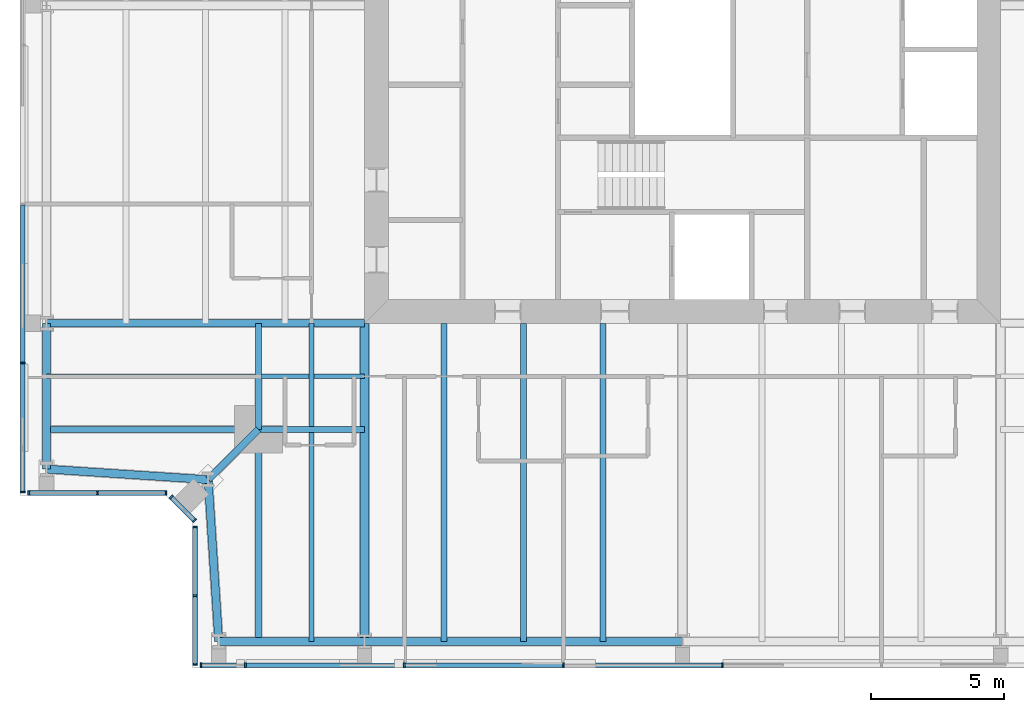
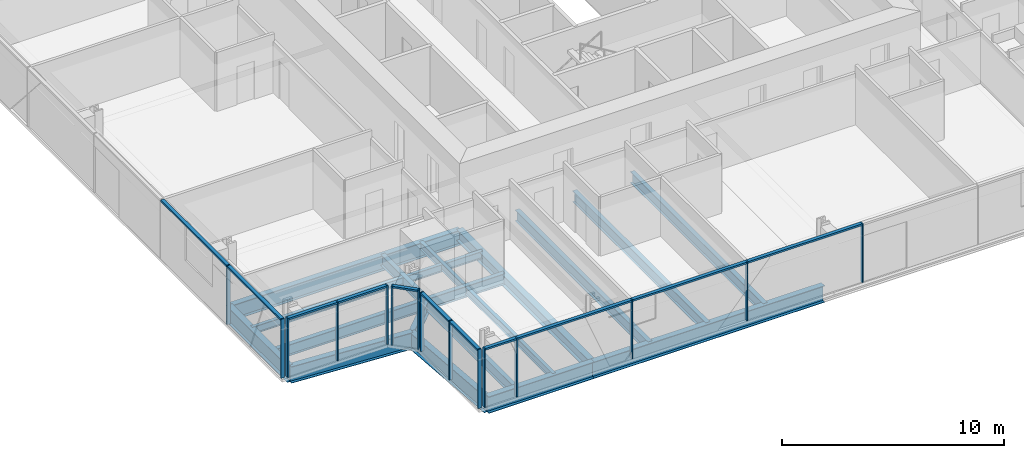
# One storey, part 2 of 19: 26 members, 20 beams, 5 elements without a shape of their own.
"""IFC4 building model written with IfcOpenShell, lengths in metres."""

from ifc_helpers import new_model, si_unit, direction, frame, origin, origin_2d, place, context, subcontext, project, spatial, rectangle, i_section, extrude, material, material_profile, profile_set, type_object, element, aggregate, save


model = new_model("IFC4")

# Units and contexts
model_context = context("Model", 3, precision=1e-05, world=origin(), true_north=direction((0.0, 1.0)))
body_context = subcontext(model_context, "Body", "Model", "MODEL_VIEW")
ifc_project = project(units=[si_unit("LENGTHUNIT", "METRE"), si_unit("AREAUNIT", "SQUARE_METRE"), si_unit("VOLUMEUNIT", "CUBIC_METRE"), si_unit("PLANEANGLEUNIT", "RADIAN"), si_unit("MASSUNIT", "GRAM", prefix="KILO")], contexts=[model_context])

# Site, building, storey
site_placement = place(None, origin())
site = spatial("IfcSite", under=ifc_project, at=site_placement, CompositionType="ELEMENT")
building_placement = place(site_placement, origin())
building = spatial("IfcBuilding", under=site, at=building_placement, Name="Fenwick Lantern Interchange", CompositionType="ELEMENT")
storey_placement = place(building_placement, frame((0.0, 0.0, 273.0)))
storey = spatial("IfcBuildingStorey", under=building, at=storey_placement, Name="L65", CompositionType="ELEMENT", Elevation=273.0)

# Beams
ifc_material_1 = material(Name="Steel ASTM A992 Grade 50", Category="steel")
ifc_material_profile_1 = material_profile(ifc_material_1, i_section(OverallWidth=0.3046875, OverallDepth=0.911865234375, WebThickness=0.015869140625, FlangeThickness=0.02392578125, at=origin_2d()), Name="W36X150")
ifc_profile_set_1 = profile_set([ifc_material_profile_1], Name="Steel ASTM A992 Grade 50")
beam_type_1 = type_object("IfcBeamType", Name="EDGE BEAM W36X150", PredefinedType="SPANDREL", material=ifc_profile_set_1)
beam_1_placement = place(storey_placement, frame((7.5, 1.0, -0.60595703125), z_axis=(1.0, 0.0, 0.0), x_axis=(0.0, 1.0, 0.0)))
element("IfcBeam", 1, at=beam_1_placement, inside=storey, type_object=beam_type_1, Name="L65/FR/S/EB1", PredefinedType="SPANDREL", context=body_context, shape_type="SweptSolid", body=[
    extrude(i_section(OverallWidth=0.3046875, OverallDepth=0.911865234375, WebThickness=0.015869140625, FlangeThickness=0.02392578125, at=origin_2d()), origin(), (0.0, 0.0, 1.0), 5.5),
])
beam_2_placement = place(storey_placement, frame((13.0, 1.0, -0.60595703125), z_axis=(1.0, 0.0, 0.0), x_axis=(0.0, 1.0, 0.0)))
element("IfcBeam", 2, at=beam_2_placement, inside=storey, type_object=beam_type_1, Name="L65/FR/S/EB2", PredefinedType="SPANDREL", context=body_context, shape_type="SweptSolid", body=[
    extrude(i_section(OverallWidth=0.3046875, OverallDepth=0.911865234375, WebThickness=0.015869140625, FlangeThickness=0.02392578125, at=origin_2d()), origin(), (0.0, 0.0, 1.0), 12.0),
])
beam_3_placement = place(storey_placement, frame((1.0, 13.0, -0.60595703125), z_axis=(0.0, -1.0, 0.0), x_axis=(1.0, 0.0, 0.0)))
element("IfcBeam", 3, at=beam_3_placement, inside=storey, type_object=beam_type_1, Name="L65/FR/W/EB4", PredefinedType="SPANDREL", context=body_context, shape_type="SweptSolid", body=[
    extrude(i_section(OverallWidth=0.3046875, OverallDepth=0.911865234375, WebThickness=0.015869140625, FlangeThickness=0.02392578125, at=origin_2d()), origin(), (0.0, 0.0, 1.0), 5.5),
])
for number, where, z_axis, x_axis, name in (
    (4, (1.0, 7.5, -0.60595703125), (0.997858060337, -0.065416293237, 0.0), (0.065416293237, 0.997858060337, 0.0), "L65/FR/W/EBR1"),
    (5, (7.10009765625, 7.10009765625, -0.60595703125), (0.065416293237, -0.997858060337, 0.0), (0.997858060337, 0.065416293237, 0.0), "L65/FR/W/EBR2"),
):
    element("IfcBeam", number, at=place(storey_placement, frame(where, z_axis=z_axis, x_axis=x_axis)), inside=storey, type_object=beam_type_1, Name=name, PredefinedType="SPANDREL", context=body_context, shape_type="SweptSolid", body=[
        extrude(i_section(OverallWidth=0.3046875, OverallDepth=0.911865234375, WebThickness=0.015869140625, FlangeThickness=0.02392578125, at=origin_2d()), origin(), (0.0, 0.0, 1.0), 6.11328125),
    ])
ifc_material_profile_2 = material_profile(ifc_material_1, i_section(OverallWidth=0.22900390625, OverallDepth=0.612060546875, WebThickness=0.011962890625, FlangeThickness=0.01953125, at=origin_2d()), Name="W24X84")
ifc_profile_set_2 = profile_set([ifc_material_profile_2], Name="Steel ASTM A992 Grade 50")
beam_type_2 = type_object("IfcBeamType", Name="FLOOR BEAM W24X84", PredefinedType="BEAM", material=ifc_profile_set_2)
for number, where, z_axis, x_axis, name in (
    (6, (16.0, 1.0, -0.4560546875), (0.0, 1.0, 0.0), (-1.0, 0.0, 0.0), "L65/FR/S/R02"),
    (7, (19.0, 1.0, -0.4560546875), (0.0, 1.0, 0.0), (-1.0, 0.0, 0.0), "L65/FR/S/R03"),
    (8, (22.0, 1.0, -0.4560546875), (0.0, 1.0, 0.0), (-1.0, 0.0, 0.0), "L65/FR/S/R04"),
):
    element("IfcBeam", number, at=place(storey_placement, frame(where, z_axis=z_axis, x_axis=x_axis)), inside=storey, type_object=beam_type_2, Name=name, PredefinedType="BEAM", context=body_context, shape_type="SweptSolid", body=[
        extrude(i_section(OverallWidth=0.22900390625, OverallDepth=0.612060546875, WebThickness=0.011962890625, FlangeThickness=0.01953125, at=origin_2d()), origin(), (0.0, 0.0, 1.0), 12.0),
    ])

# Curtain wall, members
ifc_material_2 = material(Name="Aluminium curtain wall frame", Category="aluminium")
curtain_wall_type = type_object("IfcCurtainWallType", Name="HOTEL CURTAIN WALL", PredefinedType="USERDEFINED", material=ifc_material_2)
curtain_wall_1_placement = place(storey_placement, origin())
curtain_wall_1 = element("IfcCurtainWall", 9, at=curtain_wall_1_placement, inside=storey, type_object=curtain_wall_type, Name="Hotel curtain wall 01", ObjectType="HOTEL CURTAIN WALL", PredefinedType="USERDEFINED")
ifc_material_3 = material(Name="Aluminium extrusion", Category="aluminium")
ifc_material_profile_3 = material_profile(ifc_material_3, rectangle(XDim=0.179931640625, YDim=0.06005859375, at=origin_2d()), Name="HOTEL CURTAIN WALL MULLION 60 X 180")
ifc_profile_set_3 = profile_set([ifc_material_profile_3], Name="Aluminium extrusion")
member_type_1 = type_object("IfcMemberType", Name="HOTEL CURTAIN WALL MULLION 60 X 180", PredefinedType="MULLION", material=ifc_profile_set_3)
member_1_placement = place(storey_placement, frame((6.830078125, 0.10009765625, 0.0), z_axis=(0.0, 0.0, 1.0), x_axis=(0.0, 1.0, 0.0)))
member_1 = element("IfcMember", 10, at=member_1_placement, type_object=member_type_1, Name="L65/CW/01/M00", PredefinedType="MULLION", context=body_context, shape_type="SweptSolid", body=[
    extrude(rectangle(XDim=0.179931640625, YDim=0.06005859375, at=origin_2d()), origin(), (0.0, 0.0, 1.0), 3.25),
])
member_2_placement = place(storey_placement, frame((8.5, 0.10009765625, 0.0), z_axis=(0.0, 0.0, 1.0), x_axis=(0.0, 1.0, 0.0)))
member_2 = element("IfcMember", 11, at=member_2_placement, type_object=member_type_1, Name="L65/CW/01/M01", PredefinedType="MULLION", context=body_context, shape_type="SweptSolid", body=[
    extrude(rectangle(XDim=0.179931640625, YDim=0.06005859375, at=origin_2d()), origin(), (0.0, 0.0, 1.0), 3.25),
])
member_3_placement = place(storey_placement, frame((14.5, 0.10009765625, 0.0), z_axis=(0.0, 0.0, 1.0), x_axis=(0.0, 1.0, 0.0)))
member_3 = element("IfcMember", 12, at=member_3_placement, type_object=member_type_1, Name="L65/CW/01/M02", PredefinedType="MULLION", context=body_context, shape_type="SweptSolid", body=[
    extrude(rectangle(XDim=0.179931640625, YDim=0.06005859375, at=origin_2d()), origin(), (0.0, 0.0, 1.0), 3.25),
])
member_4_placement = place(storey_placement, frame((20.5, 0.10009765625, 0.0), z_axis=(0.0, 0.0, 1.0), x_axis=(0.0, 1.0, 0.0)))
member_4 = element("IfcMember", 13, at=member_4_placement, type_object=member_type_1, Name="L65/CW/01/M03", PredefinedType="MULLION", context=body_context, shape_type="SweptSolid", body=[
    extrude(rectangle(XDim=0.179931640625, YDim=0.06005859375, at=origin_2d()), origin(), (0.0, 0.0, 1.0), 3.25),
])
member_5_placement = place(storey_placement, frame((26.5, 0.10009765625, 0.0), z_axis=(0.0, 0.0, 1.0), x_axis=(0.0, 1.0, 0.0)))
member_5 = element("IfcMember", 14, at=member_5_placement, type_object=member_type_1, Name="L65/CW/01/M04", PredefinedType="MULLION", context=body_context, shape_type="SweptSolid", body=[
    extrude(rectangle(XDim=0.179931640625, YDim=0.06005859375, at=origin_2d()), origin(), (0.0, 0.0, 1.0), 3.25),
])

curtain_wall_2_placement = place(storey_placement, origin())
curtain_wall_2 = element("IfcCurtainWall", 15, at=curtain_wall_2_placement, inside=storey, type_object=curtain_wall_type, Name="Hotel curtain wall 13", ObjectType="HOTEL CURTAIN WALL", PredefinedType="USERDEFINED")
member_6_placement = place(storey_placement, frame((0.10009765625, 11.5, 0.0), z_axis=(0.0, 0.0, 1.0), x_axis=(1.0, 0.0, 0.0)))
member_6 = element("IfcMember", 16, at=member_6_placement, type_object=member_type_1, Name="L65/CW/13/M06", PredefinedType="MULLION", context=body_context, shape_type="SweptSolid", body=[
    extrude(rectangle(XDim=0.179931640625, YDim=0.06005859375, at=origin_2d()), origin(), (0.0, 0.0, 1.0), 3.25),
])
member_7_placement = place(storey_placement, frame((0.10009765625, 6.6298828125, 0.0), z_axis=(0.0, 0.0, 1.0), x_axis=(1.0, 0.0, 0.0)))
member_7 = element("IfcMember", 17, at=member_7_placement, type_object=member_type_1, Name="L65/CW/13/M07", PredefinedType="MULLION", context=body_context, shape_type="SweptSolid", body=[
    extrude(rectangle(XDim=0.179931640625, YDim=0.06005859375, at=origin_2d()), origin(), (0.0, 0.0, 1.0), 3.25),
])

curtain_wall_3_placement = place(storey_placement, origin())
curtain_wall_3 = element("IfcCurtainWall", 18, at=curtain_wall_3_placement, inside=storey, type_object=curtain_wall_type, Name="Hotel curtain wall 14", ObjectType="HOTEL CURTAIN WALL", PredefinedType="USERDEFINED")
member_8_placement = place(storey_placement, frame((0.330078125, 6.60009765625, 0.0), z_axis=(0.0, 0.0, 1.0), x_axis=(0.0, 1.0, 0.0)))
member_8 = element("IfcMember", 19, at=member_8_placement, type_object=member_type_1, Name="L65/CW/14/M00", PredefinedType="MULLION", context=body_context, shape_type="SweptSolid", body=[
    extrude(rectangle(XDim=0.179931640625, YDim=0.06005859375, at=origin_2d()), origin(), (0.0, 0.0, 1.0), 3.25),
])
member_9_placement = place(storey_placement, frame((2.920654296875, 6.60009765625, 0.0), z_axis=(0.0, 0.0, 1.0), x_axis=(0.0, 1.0, 0.0)))
member_9 = element("IfcMember", 20, at=member_9_placement, type_object=member_type_1, Name="L65/CW/14/M01", PredefinedType="MULLION", context=body_context, shape_type="SweptSolid", body=[
    extrude(rectangle(XDim=0.179931640625, YDim=0.06005859375, at=origin_2d()), origin(), (0.0, 0.0, 1.0), 3.25),
])
member_10_placement = place(storey_placement, frame((5.511474609375, 6.60009765625, 0.0), z_axis=(0.0, 0.0, 1.0), x_axis=(0.0, 1.0, 0.0)))
member_10 = element("IfcMember", 21, at=member_10_placement, type_object=member_type_1, Name="L65/CW/14/M02", PredefinedType="MULLION", context=body_context, shape_type="SweptSolid", body=[
    extrude(rectangle(XDim=0.179931640625, YDim=0.06005859375, at=origin_2d()), origin(), (0.0, 0.0, 1.0), 3.25),
])

curtain_wall_4_placement = place(storey_placement, origin())
curtain_wall_4 = element("IfcCurtainWall", 22, at=curtain_wall_4_placement, inside=storey, type_object=curtain_wall_type, Name="Hotel curtain wall 15", ObjectType="HOTEL CURTAIN WALL", PredefinedType="USERDEFINED")
member_11_placement = place(storey_placement, frame((5.7041015625, 6.437255859375, 0.0), z_axis=(0.0, 0.0, 1.0), x_axis=(0.707106781187, 0.707106781187, 0.0)))
member_11 = element("IfcMember", 23, at=member_11_placement, type_object=member_type_1, Name="L65/CW/15/M00", PredefinedType="MULLION", context=body_context, shape_type="SweptSolid", body=[
    extrude(rectangle(XDim=0.179931640625, YDim=0.06005859375, at=origin_2d()), origin(), (0.0, 0.0, 1.0), 3.25),
])
member_12_placement = place(storey_placement, frame((6.578857421875, 5.562744140625, 0.0), z_axis=(0.0, 0.0, 1.0), x_axis=(0.707106781187, 0.707106781187, 0.0)))
member_12 = element("IfcMember", 24, at=member_12_placement, type_object=member_type_1, Name="L65/CW/15/M01", PredefinedType="MULLION", context=body_context, shape_type="SweptSolid", body=[
    extrude(rectangle(XDim=0.179931640625, YDim=0.06005859375, at=origin_2d()), origin(), (0.0, 0.0, 1.0), 3.25),
])

curtain_wall_5_placement = place(storey_placement, origin())
curtain_wall_5 = element("IfcCurtainWall", 25, at=curtain_wall_5_placement, inside=storey, type_object=curtain_wall_type, Name="Hotel curtain wall 16", ObjectType="HOTEL CURTAIN WALL", PredefinedType="USERDEFINED")
member_13_placement = place(storey_placement, frame((6.60009765625, 5.3115234375, 0.0), z_axis=(0.0, 0.0, 1.0), x_axis=(1.0, 0.0, 0.0)))
member_13 = element("IfcMember", 26, at=member_13_placement, type_object=member_type_1, Name="L65/CW/16/M00", PredefinedType="MULLION", context=body_context, shape_type="SweptSolid", body=[
    extrude(rectangle(XDim=0.179931640625, YDim=0.06005859375, at=origin_2d()), origin(), (0.0, 0.0, 1.0), 3.25),
])
member_14_placement = place(storey_placement, frame((6.60009765625, 2.720703125, 0.0), z_axis=(0.0, 0.0, 1.0), x_axis=(1.0, 0.0, 0.0)))
member_14 = element("IfcMember", 27, at=member_14_placement, type_object=member_type_1, Name="L65/CW/16/M01", PredefinedType="MULLION", context=body_context, shape_type="SweptSolid", body=[
    extrude(rectangle(XDim=0.179931640625, YDim=0.06005859375, at=origin_2d()), origin(), (0.0, 0.0, 1.0), 3.25),
])
member_15_placement = place(storey_placement, frame((6.60009765625, 0.1298828125, 0.0), z_axis=(0.0, 0.0, 1.0), x_axis=(1.0, 0.0, 0.0)))
member_15 = element("IfcMember", 28, at=member_15_placement, type_object=member_type_1, Name="L65/CW/16/M02", PredefinedType="MULLION", context=body_context, shape_type="SweptSolid", body=[
    extrude(rectangle(XDim=0.179931640625, YDim=0.06005859375, at=origin_2d()), origin(), (0.0, 0.0, 1.0), 3.25),
])

# Member
ifc_material_profile_4 = material_profile(ifc_material_3, rectangle(XDim=0.179931640625, YDim=0.10009765625, at=origin_2d()), Name="HOTEL CURTAIN WALL TRANSOM 100 X 180")
ifc_profile_set_4 = profile_set([ifc_material_profile_4], Name="Aluminium extrusion")
member_type_2 = type_object("IfcMemberType", Name="HOTEL CURTAIN WALL TRANSOM 100 X 180", PredefinedType="MULLION", material=ifc_profile_set_4)
member_16_placement = place(storey_placement, frame((6.860107421875, 0.10009765625, 3.199951171875), z_axis=(1.0, 0.0, 0.0), x_axis=(0.0, 1.0, 0.0)))
member_16 = element("IfcMember", 29, at=member_16_placement, type_object=member_type_2, Name="L65/CW/01/T00", PredefinedType="MULLION", context=body_context, shape_type="SweptSolid", body=[
    extrude(rectangle(XDim=0.179931640625, YDim=0.10009765625, at=origin_2d()), origin(), (0.0, 0.0, 1.0), 1.60986328125),
])

member_17_placement = place(storey_placement, frame((8.530029296875, 0.10009765625, 3.199951171875), z_axis=(1.0, 0.0, 0.0), x_axis=(0.0, 1.0, 0.0)))
member_17 = element("IfcMember", 30, at=member_17_placement, type_object=member_type_2, Name="L65/CW/01/T01", PredefinedType="MULLION", context=body_context, shape_type="SweptSolid", body=[
    extrude(rectangle(XDim=0.179931640625, YDim=0.10009765625, at=origin_2d()), origin(), (0.0, 0.0, 1.0), 5.93994140625),
])

member_18_placement = place(storey_placement, frame((14.530029296875, 0.10009765625, 3.199951171875), z_axis=(1.0, 0.0, 0.0), x_axis=(0.0, 1.0, 0.0)))
member_18 = element("IfcMember", 31, at=member_18_placement, type_object=member_type_2, Name="L65/CW/01/T02", PredefinedType="MULLION", context=body_context, shape_type="SweptSolid", body=[
    extrude(rectangle(XDim=0.179931640625, YDim=0.10009765625, at=origin_2d()), origin(), (0.0, 0.0, 1.0), 5.93994140625),
])

member_19_placement = place(storey_placement, frame((20.530029296875, 0.10009765625, 3.199951171875), z_axis=(1.0, 0.0, 0.0), x_axis=(0.0, 1.0, 0.0)))
member_19 = element("IfcMember", 32, at=member_19_placement, type_object=member_type_2, Name="L65/CW/01/T03", PredefinedType="MULLION", context=body_context, shape_type="SweptSolid", body=[
    extrude(rectangle(XDim=0.179931640625, YDim=0.10009765625, at=origin_2d()), origin(), (0.0, 0.0, 1.0), 5.93994140625),
])

aggregate(curtain_wall_1, [member_1, member_2, member_3, member_4, member_5, member_16, member_17, member_18, member_19])

member_20_placement = place(storey_placement, frame((0.10009765625, 17.469970703125, 3.199951171875), z_axis=(0.0, -1.0, 0.0), x_axis=(1.0, 0.0, 0.0)))
member_20 = element("IfcMember", 33, at=member_20_placement, type_object=member_type_2, Name="L65/CW/13/T05", PredefinedType="MULLION", context=body_context, shape_type="SweptSolid", body=[
    extrude(rectangle(XDim=0.179931640625, YDim=0.10009765625, at=origin_2d()), origin(), (0.0, 0.0, 1.0), 5.93994140625),
])

member_21_placement = place(storey_placement, frame((0.10009765625, 11.469970703125, 3.199951171875), z_axis=(0.0, -1.0, 0.0), x_axis=(1.0, 0.0, 0.0)))
member_21 = element("IfcMember", 34, at=member_21_placement, type_object=member_type_2, Name="L65/CW/13/T06", PredefinedType="MULLION", context=body_context, shape_type="SweptSolid", body=[
    extrude(rectangle(XDim=0.179931640625, YDim=0.10009765625, at=origin_2d()), origin(), (0.0, 0.0, 1.0), 4.81005859375),
])

aggregate(curtain_wall_2, [member_6, member_7, member_20, member_21])

member_22_placement = place(storey_placement, frame((0.360107421875, 6.60009765625, 3.199951171875), z_axis=(1.0, 0.0, 0.0), x_axis=(0.0, 1.0, 0.0)))
member_22 = element("IfcMember", 35, at=member_22_placement, type_object=member_type_2, Name="L65/CW/14/T00", PredefinedType="MULLION", context=body_context, shape_type="SweptSolid", body=[
    extrude(rectangle(XDim=0.179931640625, YDim=0.10009765625, at=origin_2d()), origin(), (0.0, 0.0, 1.0), 2.530517578125),
])

member_23_placement = place(storey_placement, frame((2.95068359375, 6.60009765625, 3.199951171875), z_axis=(1.0, 0.0, 0.0), x_axis=(0.0, 1.0, 0.0)))
member_23 = element("IfcMember", 36, at=member_23_placement, type_object=member_type_2, Name="L65/CW/14/T01", PredefinedType="MULLION", context=body_context, shape_type="SweptSolid", body=[
    extrude(rectangle(XDim=0.179931640625, YDim=0.10009765625, at=origin_2d()), origin(), (0.0, 0.0, 1.0), 2.53076171875),
])

aggregate(curtain_wall_3, [member_8, member_9, member_10, member_22, member_23])

member_24_placement = place(storey_placement, frame((5.725341796875, 6.416259765625, 3.199951171875), z_axis=(0.707003077033, -0.707210470133, 0.0), x_axis=(0.707210470133, 0.707003077033, 0.0)))
member_24 = element("IfcMember", 37, at=member_24_placement, type_object=member_type_2, Name="L65/CW/15/T00", PredefinedType="MULLION", context=body_context, shape_type="SweptSolid", body=[
    extrude(rectangle(XDim=0.179931640625, YDim=0.10009765625, at=origin_2d()), origin(), (0.0, 0.0, 1.0), 1.17724609375),
])

aggregate(curtain_wall_4, [member_11, member_12, member_24])

member_25_placement = place(storey_placement, frame((6.60009765625, 5.281494140625, 3.199951171875), z_axis=(0.0, -1.0, 0.0), x_axis=(1.0, 0.0, 0.0)))
member_25 = element("IfcMember", 38, at=member_25_placement, type_object=member_type_2, Name="L65/CW/16/T00", PredefinedType="MULLION", context=body_context, shape_type="SweptSolid", body=[
    extrude(rectangle(XDim=0.179931640625, YDim=0.10009765625, at=origin_2d()), origin(), (0.0, 0.0, 1.0), 2.53076171875),
])

member_26_placement = place(storey_placement, frame((6.60009765625, 2.690673828125, 3.199951171875), z_axis=(0.0, -1.0, 0.0), x_axis=(1.0, 0.0, 0.0)))
member_26 = element("IfcMember", 39, at=member_26_placement, type_object=member_type_2, Name="L65/CW/16/T01", PredefinedType="MULLION", context=body_context, shape_type="SweptSolid", body=[
    extrude(rectangle(XDim=0.179931640625, YDim=0.10009765625, at=origin_2d()), origin(), (0.0, 0.0, 1.0), 2.53076171875),
])

aggregate(curtain_wall_5, [member_13, member_14, member_15, member_25, member_26])

# Beams
ifc_material_profile_5 = material_profile(ifc_material_1, i_section(OverallWidth=0.177734375, OverallDepth=0.406494140625, WebThickness=0.0078125, FlangeThickness=0.012939453125, at=origin_2d()), Name="W16X40")
ifc_profile_set_5 = profile_set([ifc_material_profile_5], Name="Steel ASTM A992 Grade 50")
beam_type_3 = type_object("IfcBeamType", Name="INFILL BEAM W16X40", PredefinedType="JOIST", material=ifc_profile_set_5)
beam_4_placement = place(storey_placement, frame((11.0, 1.0, -0.353271484375), z_axis=(0.0, 1.0, 0.0), x_axis=(-1.0, 0.0, 0.0)))
element("IfcBeam", 40, at=beam_4_placement, inside=storey, type_object=beam_type_3, Name="L65/FR/S/J1", PredefinedType="JOIST", context=body_context, shape_type="SweptSolid", body=[
    extrude(i_section(OverallWidth=0.177734375, OverallDepth=0.406494140625, WebThickness=0.0078125, FlangeThickness=0.012939453125, at=origin_2d()), origin(), (0.0, 0.0, 1.0), 7.885498046875),
])
beam_5_placement = place(storey_placement, frame((11.0, 9.114501953125, -0.353271484375), z_axis=(0.0, 1.0, 0.0), x_axis=(-1.0, 0.0, 0.0)))
element("IfcBeam", 41, at=beam_5_placement, inside=storey, type_object=beam_type_3, Name="L65/FR/S/J2", PredefinedType="JOIST", context=body_context, shape_type="SweptSolid", body=[
    extrude(i_section(OverallWidth=0.177734375, OverallDepth=0.406494140625, WebThickness=0.0078125, FlangeThickness=0.012939453125, at=origin_2d()), origin(), (0.0, 0.0, 1.0), 3.885498046875),
])
beam_6_placement = place(storey_placement, frame((1.0, 11.0, -0.353271484375), z_axis=(1.0, 0.0, 0.0), x_axis=(0.0, 1.0, 0.0)))
element("IfcBeam", 42, at=beam_6_placement, inside=storey, type_object=beam_type_3, Name="L65/FR/S/J3", PredefinedType="JOIST", context=body_context, shape_type="SweptSolid", body=[
    extrude(i_section(OverallWidth=0.177734375, OverallDepth=0.406494140625, WebThickness=0.0078125, FlangeThickness=0.012939453125, at=origin_2d()), origin(), (0.0, 0.0, 1.0), 7.885498046875),
])
beam_7_placement = place(storey_placement, frame((9.114501953125, 11.0, -0.353271484375), z_axis=(1.0, 0.0, 0.0), x_axis=(0.0, 1.0, 0.0)))
element("IfcBeam", 43, at=beam_7_placement, inside=storey, type_object=beam_type_3, Name="L65/FR/S/J4", PredefinedType="JOIST", context=body_context, shape_type="SweptSolid", body=[
    extrude(i_section(OverallWidth=0.177734375, OverallDepth=0.406494140625, WebThickness=0.0078125, FlangeThickness=0.012939453125, at=origin_2d()), origin(), (0.0, 0.0, 1.0), 1.796630859375),
])
beam_8_placement = place(storey_placement, frame((11.0888671875, 11.0, -0.353271484375), z_axis=(1.0, 0.0, 0.0), x_axis=(0.0, 1.0, 0.0)))
element("IfcBeam", 44, at=beam_8_placement, inside=storey, type_object=beam_type_3, Name="L65/FR/S/J5", PredefinedType="JOIST", context=body_context, shape_type="SweptSolid", body=[
    extrude(i_section(OverallWidth=0.177734375, OverallDepth=0.406494140625, WebThickness=0.0078125, FlangeThickness=0.012939453125, at=origin_2d()), origin(), (0.0, 0.0, 1.0), 1.9111328125),
])
ifc_material_profile_6 = material_profile(ifc_material_1, i_section(OverallWidth=0.22900390625, OverallDepth=0.612060546875, WebThickness=0.011962890625, FlangeThickness=0.01953125, at=origin_2d()), Name="W24X84")
ifc_profile_set_6 = profile_set([ifc_material_profile_6], Name="Steel ASTM A992 Grade 50")
beam_type_4 = type_object("IfcBeamType", Name="MEGA COLUMN BEAM W24X84", PredefinedType="BEAM", material=ifc_profile_set_6)
for number, where, z_axis, x_axis, name in (
    (45, (9.0, 9.0, -0.4560546875), (0.0, -1.0, 0.0), (1.0, 0.0, 0.0), "L65/FR/S/MB1"),
    (46, (9.0, 9.0, -0.4560546875), (-1.0, 0.0, 0.0), (0.0, -1.0, 0.0), "L65/FR/S/MB2"),
):
    element("IfcBeam", number, at=place(storey_placement, frame(where, z_axis=z_axis, x_axis=x_axis)), inside=storey, type_object=beam_type_4, Name=name, PredefinedType="BEAM", context=body_context, shape_type="SweptSolid", body=[
        extrude(i_section(OverallWidth=0.22900390625, OverallDepth=0.612060546875, WebThickness=0.011962890625, FlangeThickness=0.01953125, at=origin_2d()), origin(), (0.0, 0.0, 1.0), 8.0),
    ])
for number, where, z_axis, x_axis, name in (
    (47, (9.0, 9.0, -0.4560546875), (1.0, 0.0, 0.0), (0.0, 1.0, 0.0), "L65/FR/S/MB3"),
    (48, (9.0, 9.0, -0.4560546875), (0.0, 1.0, 0.0), (-1.0, 0.0, 0.0), "L65/FR/S/MB4"),
):
    element("IfcBeam", number, at=place(storey_placement, frame(where, z_axis=z_axis, x_axis=x_axis)), inside=storey, type_object=beam_type_4, Name=name, PredefinedType="BEAM", context=body_context, shape_type="SweptSolid", body=[
        extrude(i_section(OverallWidth=0.22900390625, OverallDepth=0.612060546875, WebThickness=0.011962890625, FlangeThickness=0.01953125, at=origin_2d()), origin(), (0.0, 0.0, 1.0), 4.0),
    ])
ifc_material_profile_7 = material_profile(ifc_material_1, i_section(OverallWidth=0.32763671875, OverallDepth=0.622314453125, WebThickness=0.015380859375, FlangeThickness=0.0244140625, at=origin_2d()), Name="W24X131")
ifc_profile_set_7 = profile_set([ifc_material_profile_7], Name="Steel ASTM A992 Grade 50")
beam_type_5 = type_object("IfcBeamType", Name="MOMENT-CONNECTED GIRDER W24X131", PredefinedType="BEAM", material=ifc_profile_set_7)
beam_9_placement = place(storey_placement, frame((13.0, 1.0, -0.461181640625), z_axis=(0.0, 1.0, 0.0), x_axis=(-1.0, 0.0, 0.0)))
element("IfcBeam", 49, at=beam_9_placement, inside=storey, type_object=beam_type_5, Name="L65/FR/S/R01", PredefinedType="BEAM", context=body_context, shape_type="SweptSolid", body=[
    extrude(i_section(OverallWidth=0.32763671875, OverallDepth=0.622314453125, WebThickness=0.015380859375, FlangeThickness=0.0244140625, at=origin_2d()), origin(), (0.0, 0.0, 1.0), 12.0),
])
ifc_material_profile_8 = material_profile(ifc_material_1, i_section(OverallWidth=0.2919921875, OverallDepth=0.845703125, WebThickness=0.015380859375, FlangeThickness=0.0244140625, at=origin_2d()), Name="W33X141")
ifc_profile_set_8 = profile_set([ifc_material_profile_8], Name="Steel ASTM A992 Grade 50")
beam_type_6 = type_object("IfcBeamType", Name="MOMENT-CONNECTED GIRDER W33X141", PredefinedType="BEAM", material=ifc_profile_set_8)
beam_10_placement = place(storey_placement, frame((1.0, 13.0, -0.572998046875), z_axis=(1.0, 0.0, 0.0), x_axis=(0.0, 1.0, 0.0)))
element("IfcBeam", 50, at=beam_10_placement, inside=storey, type_object=beam_type_6, Name="L65/FR/W/R03", PredefinedType="BEAM", context=body_context, shape_type="SweptSolid", body=[
    extrude(i_section(OverallWidth=0.2919921875, OverallDepth=0.845703125, WebThickness=0.015380859375, FlangeThickness=0.0244140625, at=origin_2d()), origin(), (0.0, 0.0, 1.0), 12.0),
])
ifc_material_profile_9 = material_profile(ifc_material_1, i_section(OverallWidth=0.2666015625, OverallDepth=0.7568359375, WebThickness=0.013916015625, FlangeThickness=0.019287109375, at=origin_2d()), Name="W30X108")
ifc_profile_set_9 = profile_set([ifc_material_profile_9], Name="Steel ASTM A992 Grade 50")
beam_type_7 = type_object("IfcBeamType", Name="NOTCH BEAM W30X108", PredefinedType="BEAM", material=ifc_profile_set_9)
beam_11_placement = place(storey_placement, frame((9.0, 9.0, -0.528564453125), z_axis=(-0.707106781187, -0.707106781187, 0.0), x_axis=(0.707106781187, -0.707106781187, 0.0)))
element("IfcBeam", 51, at=beam_11_placement, inside=storey, type_object=beam_type_7, Name="L65/FR/S/TG", PredefinedType="BEAM", context=body_context, shape_type="SweptSolid", body=[
    extrude(i_section(OverallWidth=0.2666015625, OverallDepth=0.7568359375, WebThickness=0.013916015625, FlangeThickness=0.019287109375, at=origin_2d()), origin(), (0.0, 0.0, 1.0), 2.686767578125),
])

save(model, "model.ifc")
